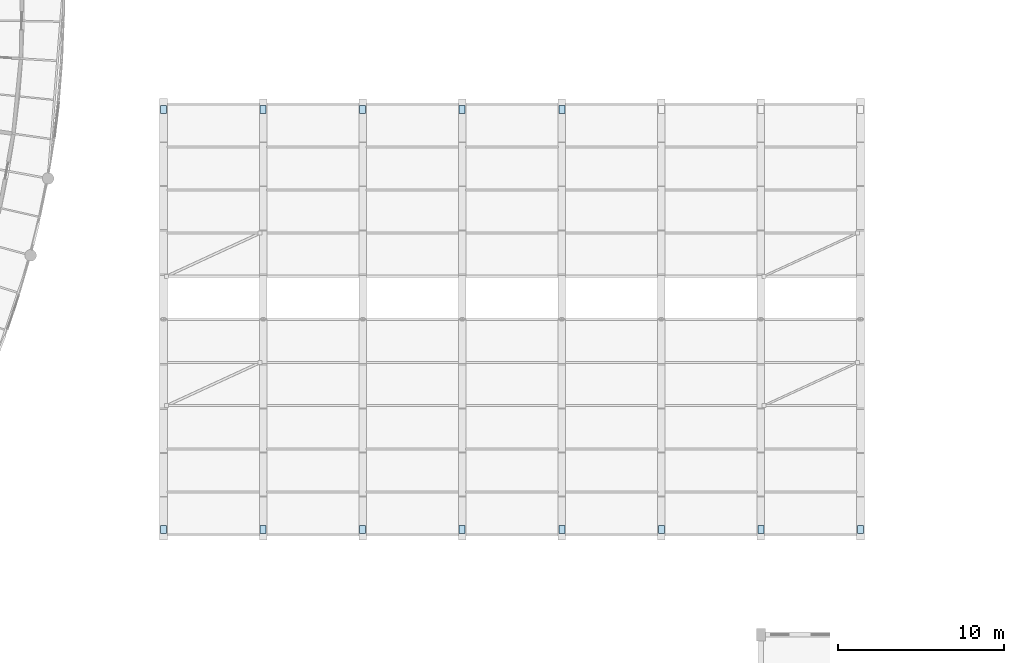
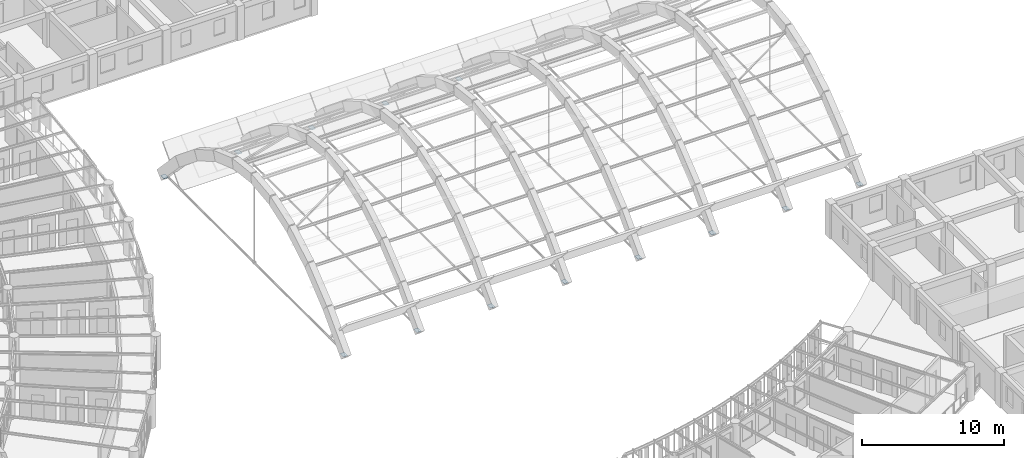
# One storey, part 71 of 123: 13 plates.
"""IFC4 building model written with IfcOpenShell, lengths in metres."""

from ifc_helpers import new_model, si_unit, direction, frame, origin, origin_2d, place, context, subcontext, project, spatial, rectangle, extrude, material, layer, layer_set, type_object, element, save


model = new_model("IFC4")

# Units and contexts
model_context = context("Model", 3, precision=1e-05, world=origin(), true_north=direction((0.0, 1.0)))
body_context = subcontext(model_context, "Body", "Model", "MODEL_VIEW")
ifc_project = project(units=[si_unit("LENGTHUNIT", "METRE"), si_unit("AREAUNIT", "SQUARE_METRE"), si_unit("VOLUMEUNIT", "CUBIC_METRE"), si_unit("PLANEANGLEUNIT", "RADIAN"), si_unit("MASSUNIT", "GRAM", prefix="KILO"), si_unit("POWERUNIT", "WATT"), si_unit("THERMODYNAMICTEMPERATUREUNIT", "KELVIN")], contexts=[model_context])

# Site, building, storey
site_placement = place(None, origin())
site = spatial("IfcSite", under=ifc_project, at=site_placement, CompositionType="ELEMENT")
building_placement = place(site_placement, origin())
building = spatial("IfcBuilding", under=site, at=building_placement, Name="Ruvembo Vaulted Housing Court", CompositionType="ELEMENT")
storey_placement = place(building_placement, frame((0.0, 0.0, 7.699951171875)))
storey = spatial("IfcBuildingStorey", under=building, at=storey_placement, Name="L02", CompositionType="ELEMENT", Elevation=7.699951171875)

# Plates
ifc_material = material(Name="Steel S355J2", Category="steel")
ifc_layer = layer(ifc_material, 0.01611328125, Name="Steel S355J2")
ifc_layer_set = layer_set([ifc_layer], Name="Steel S355J2")
plate_type = type_object("IfcPlateType", Name="PL-NODE-GUSSET-16", PredefinedType="USERDEFINED", material=ifc_layer_set)
for number, where, z_axis, x_axis, name in (
    (1, (66.0, 42.35009765625, -1.508056640625), (0.0, 0.0, 1.0), (0.0, 1.0, 0.0), "Vault Tie Node Gusset Plate VN-01S"),
    (2, (66.0, 67.64990234375, -1.508056640625), (0.0, 0.0, 1.0), (0.0, 1.0, 0.0), "Vault Tie Node Gusset Plate VN-01N"),
    (3, (72.0, 42.35009765625, -1.508056640625), (0.0, 0.0, 1.0), (0.0, 1.0, 0.0), "Vault Tie Node Gusset Plate VN-02S"),
    (4, (72.0, 67.64990234375, -1.508056640625), (0.0, 0.0, 1.0), (0.0, 1.0, 0.0), "Vault Tie Node Gusset Plate VN-02N"),
    (5, (78.0, 42.35009765625, -1.508056640625), (0.0, 0.0, 1.0), (0.0, 1.0, 0.0), "Vault Tie Node Gusset Plate VN-03S"),
    (6, (78.0, 67.64990234375, -1.508056640625), (0.0, 0.0, 1.0), (0.0, 1.0, 0.0), "Vault Tie Node Gusset Plate VN-03N"),
    (7, (84.0, 42.35009765625, -1.508056640625), (0.0, 0.0, 1.0), (0.0, 1.0, 0.0), "Vault Tie Node Gusset Plate VN-04S"),
    (8, (84.0, 67.64990234375, -1.508056640625), (0.0, 0.0, 1.0), (0.0, 1.0, 0.0), "Vault Tie Node Gusset Plate VN-04N"),
    (9, (90.0, 42.35009765625, -1.508056640625), (0.0, 0.0, 1.0), (0.0, 1.0, 0.0), "Vault Tie Node Gusset Plate VN-05S"),
    (10, (90.0, 67.64990234375, -1.508056640625), (0.0, 0.0, 1.0), (0.0, 1.0, 0.0), "Vault Tie Node Gusset Plate VN-05N"),
    (11, (96.0, 42.35009765625, -1.508056640625), (0.0, 0.0, 1.0), (0.0, 1.0, 0.0), "Vault Tie Node Gusset Plate VN-06S"),
    (12, (102.0, 42.35009765625, -1.508056640625), (0.0, 0.0, 1.0), (0.0, 1.0, 0.0), "Vault Tie Node Gusset Plate VN-07S"),
    (13, (108.0, 42.35009765625, -1.508056640625), (0.0, 0.0, 1.0), (0.0, 1.0, 0.0), "Vault Tie Node Gusset Plate VN-08S"),
):
    element("IfcPlate", number, at=place(storey_placement, frame(where, z_axis=z_axis, x_axis=x_axis)), inside=storey, type_object=plate_type, Name=name, ObjectType="GUSSET_PLATE", PredefinedType="USERDEFINED", context=body_context, shape_type="SweptSolid", body=[
        extrude(rectangle(XDim=0.47998046875, YDim=0.360107421875, at=origin_2d()), origin(), (0.0, 0.0, 1.0), 0.01611328125),
    ])

save(model, "model.ifc")
